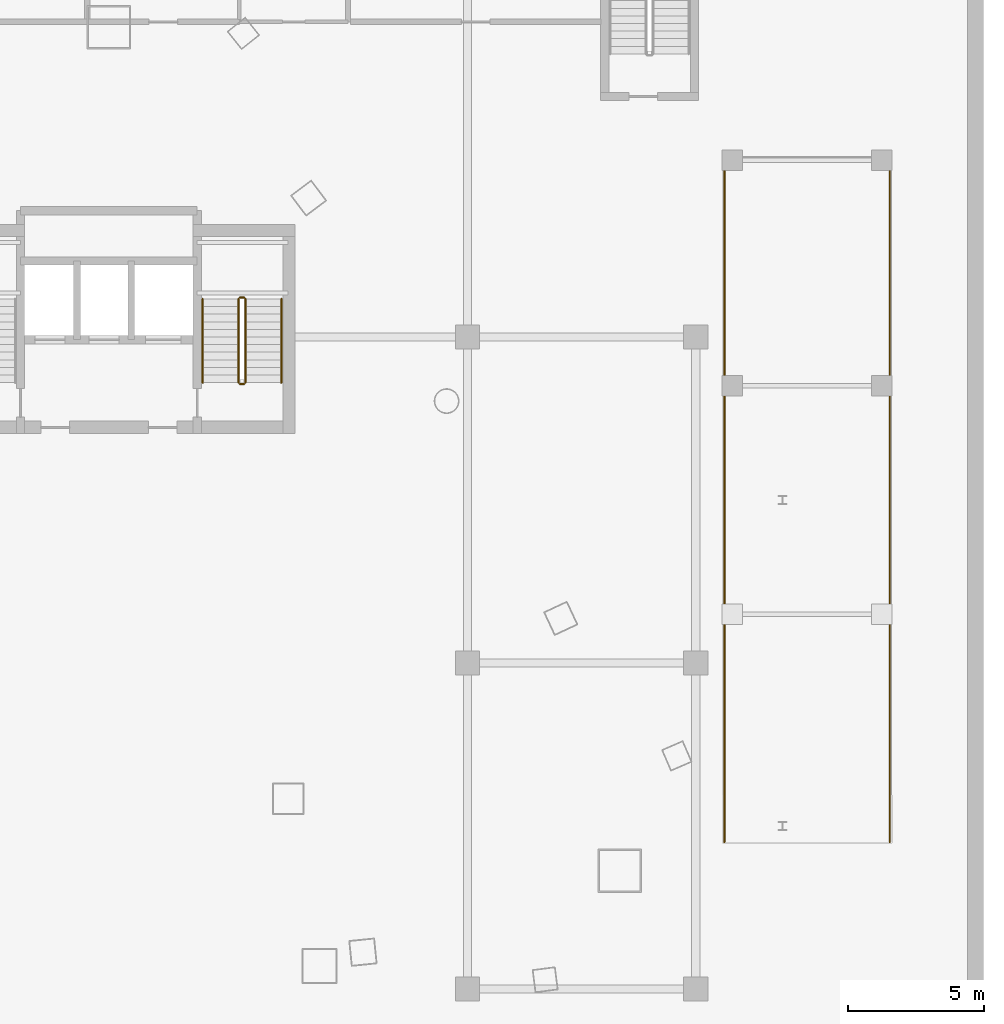
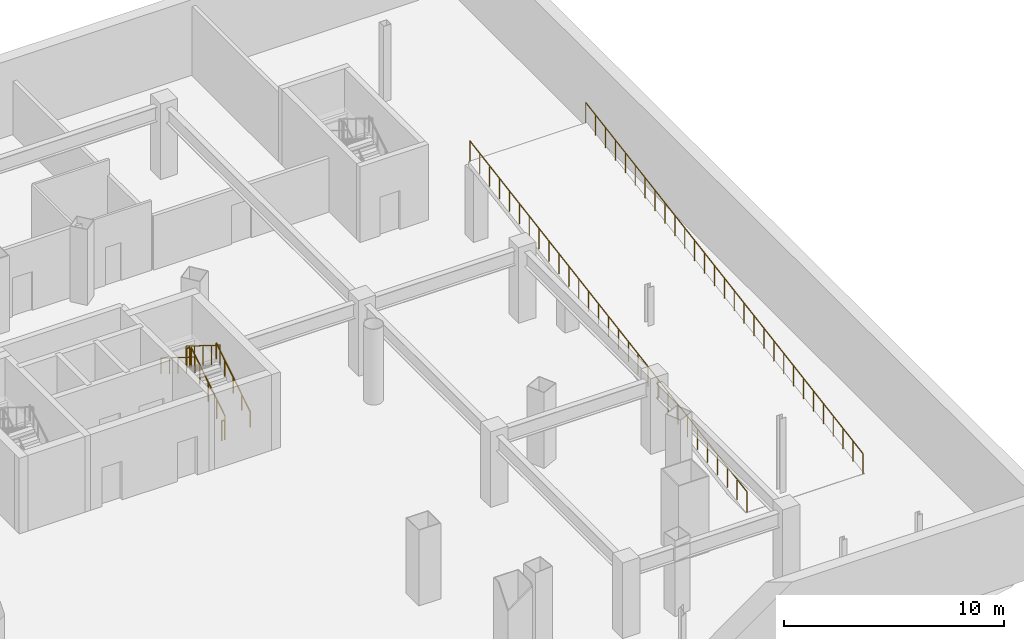
# One storey, part 8 of 10: 8 railings.
"""IFC4 building model written with IfcOpenShell, lengths in metres."""

from ifc_helpers import new_model, si_unit, direction, frame, origin, origin_2d, place, context, subcontext, project, spatial, circle, extrude, material, type_object, element, save


model = new_model("IFC4")

# Units and contexts
model_context = context("Model", 3, precision=1e-05, world=origin(), true_north=direction((0.0, 1.0)))
body_context = subcontext(model_context, "Body", "Model", "MODEL_VIEW")
ifc_project = project(units=[si_unit("LENGTHUNIT", "METRE"), si_unit("AREAUNIT", "SQUARE_METRE"), si_unit("VOLUMEUNIT", "CUBIC_METRE"), si_unit("PLANEANGLEUNIT", "RADIAN"), si_unit("MASSUNIT", "GRAM", prefix="KILO")], contexts=[model_context])

# Site, building, storey
site_placement = place(None, origin())
site = spatial("IfcSite", under=ifc_project, at=site_placement, CompositionType="ELEMENT")
building_placement = place(site_placement, origin())
building = spatial("IfcBuilding", under=site, at=building_placement, Name="Orvanel Arch Residences", CompositionType="ELEMENT")
storey_placement = place(building_placement, frame((0.0, 0.0, -4.199951171875)))
storey = spatial("IfcBuildingStorey", under=building, at=storey_placement, Name="B01", CompositionType="ELEMENT", Elevation=-4.199951171875)

# Railings
ifc_material = material(Name="Structural steel AS/NZS 1163 C350L0 (Grade 350)", Category="steel")
railing_type_1 = type_object("IfcRailingType", Name="RL-RMP-1100", PredefinedType="GUARDRAIL", material=ifc_material)
railing_1_placement = place(storey_placement, frame((55.659912109375, 11.39990234375, 0.0)))
element("IfcRailing", 1, at=railing_1_placement, inside=storey, type_object=railing_type_1, Name="B01 Vehicle Ramp Flight W Side Guardrail", PredefinedType="GUARDRAIL", context=body_context, shape_type="SweptSolid", body=[
    extrude(circle(Radius=0.02392578125, at=origin_2d()), frame((0.0, 0.00146484375, 1.126220703125), z_axis=(0.0, 0.986390307807, 0.164420681988), x_axis=(-1.0, 0.0, 0.0)), (0.0, 0.0, 1.0), 1.82177734375),
    extrude(circle(Radius=0.02392578125, at=origin_2d()), frame((0.0, 1.801513671875, 1.42626953125), z_axis=(0.0, 0.9864119972, 0.164290510316), x_axis=(-1.0, 0.0, 0.0)), (0.0, 0.0, 1.0), 1.82177734375),
    extrude(circle(Radius=0.02392578125, at=origin_2d()), frame((0.0, 3.6015625, 1.72607421875), z_axis=(0.0, 0.986390307807, 0.164420681988), x_axis=(-1.0, 0.0, 0.0)), (0.0, 0.0, 1.0), 1.82177734375),
    extrude(circle(Radius=0.02392578125, at=origin_2d()), frame((0.0, 5.401611328125, 2.026123046875), z_axis=(0.0, 0.986390307807, 0.164420681988), x_axis=(-1.0, 0.0, 0.0)), (0.0, 0.0, 1.0), 1.82177734375),
    extrude(circle(Radius=0.02392578125, at=origin_2d()), frame((0.0, 7.20166015625, 2.326171875), z_axis=(0.0, 0.986386690349, 0.164442382317), x_axis=(-1.0, 0.0, 0.0)), (0.0, 0.0, 1.0), 1.821533203125),
    extrude(circle(Radius=0.02392578125, at=origin_2d()), frame((0.0, 9.00146484375, 2.626220703125), z_axis=(0.0, 0.986390307807, 0.164420681988), x_axis=(-1.0, 0.0, 0.0)), (0.0, 0.0, 1.0), 1.82177734375),
    extrude(circle(Radius=0.02392578125, at=origin_2d()), frame((0.0, 10.801513671875, 2.92626953125), z_axis=(0.0, 0.9864119972, 0.164290510316), x_axis=(-1.0, 0.0, 0.0)), (0.0, 0.0, 1.0), 1.82177734375),
    extrude(circle(Radius=0.02392578125, at=origin_2d()), frame((0.0, 12.6015625, 3.22607421875), z_axis=(0.0, 0.986390307807, 0.164420681988), x_axis=(-1.0, 0.0, 0.0)), (0.0, 0.0, 1.0), 1.82177734375),
    extrude(circle(Radius=0.02392578125, at=origin_2d()), frame((0.0, 14.401611328125, 3.526123046875), z_axis=(0.0, 0.986390307807, 0.164420681988), x_axis=(-1.0, 0.0, 0.0)), (0.0, 0.0, 1.0), 1.82177734375),
    extrude(circle(Radius=0.02392578125, at=origin_2d()), frame((0.0, 16.20166015625, 3.826171875), z_axis=(0.0, 0.986386690349, 0.164442382317), x_axis=(-1.0, 0.0, 0.0)), (0.0, 0.0, 1.0), 1.821533203125),
    extrude(circle(Radius=0.02392578125, at=origin_2d()), frame((0.0, 18.00146484375, 4.126220703125), z_axis=(0.0, 0.986390307807, 0.164420681988), x_axis=(-1.0, 0.0, 0.0)), (0.0, 0.0, 1.0), 1.82177734375),
    extrude(circle(Radius=0.02392578125, at=origin_2d()), frame((0.0, 19.801513671875, 4.42626953125), z_axis=(0.0, 0.9864119972, 0.164290510316), x_axis=(-1.0, 0.0, 0.0)), (0.0, 0.0, 1.0), 1.82177734375),
    extrude(circle(Radius=0.02392578125, at=origin_2d()), frame((0.0, 21.6015625, 4.72607421875), z_axis=(0.0, 0.986390307807, 0.164420681988), x_axis=(-1.0, 0.0, 0.0)), (0.0, 0.0, 1.0), 1.82177734375),
    extrude(circle(Radius=0.02392578125, at=origin_2d()), frame((0.0, 23.401611328125, 5.026123046875), z_axis=(0.0, 0.986390307807, 0.164420681988), x_axis=(-1.0, 0.0, 0.0)), (0.0, 0.0, 1.0), 1.82177734375),
    extrude(circle(Radius=0.02099609375, at=origin_2d()), origin(), (0.0, 0.0, 1.0), 1.099853515625),
    extrude(circle(Radius=0.02099609375, at=origin_2d()), frame((0.0, 0.89990234375, 0.14990234375)), (0.0, 0.0, 1.0), 1.099853515625),
    extrude(circle(Radius=0.02099609375, at=origin_2d()), frame((0.0, 1.800048828125, 0.300048828125)), (0.0, 0.0, 1.0), 1.099853515625),
    extrude(circle(Radius=0.02099609375, at=origin_2d()), frame((0.0, 2.7001953125, 0.449951171875)), (0.0, 0.0, 1.0), 1.099853515625),
    extrude(circle(Radius=0.02099609375, at=origin_2d()), frame((0.0, 3.60009765625, 0.599853515625)), (0.0, 0.0, 1.0), 1.099853515625),
    extrude(circle(Radius=0.02099609375, at=origin_2d()), frame((0.0, 4.5, 0.75)), (0.0, 0.0, 1.0), 1.099853515625),
    extrude(circle(Radius=0.02099609375, at=origin_2d()), frame((0.0, 5.400146484375, 0.89990234375)), (0.0, 0.0, 1.0), 1.099853515625),
    extrude(circle(Radius=0.02099609375, at=origin_2d()), frame((0.0, 6.30029296875, 1.0498046875)), (0.0, 0.0, 1.0), 1.099853515625),
    extrude(circle(Radius=0.02099609375, at=origin_2d()), frame((0.0, 7.2001953125, 1.199951171875)), (0.0, 0.0, 1.0), 1.099853515625),
    extrude(circle(Radius=0.02099609375, at=origin_2d()), frame((0.0, 8.10009765625, 1.35009765625)), (0.0, 0.0, 1.0), 1.099853515625),
    extrude(circle(Radius=0.02099609375, at=origin_2d()), frame((0.0, 9.0, 1.5)), (0.0, 0.0, 1.0), 1.099853515625),
    extrude(circle(Radius=0.02099609375, at=origin_2d()), frame((0.0, 9.89990234375, 1.64990234375)), (0.0, 0.0, 1.0), 1.099853515625),
    extrude(circle(Radius=0.02099609375, at=origin_2d()), frame((0.0, 10.800048828125, 1.800048828125)), (0.0, 0.0, 1.0), 1.099853515625),
    extrude(circle(Radius=0.02099609375, at=origin_2d()), frame((0.0, 11.7001953125, 1.949951171875)), (0.0, 0.0, 1.0), 1.099853515625),
    extrude(circle(Radius=0.02099609375, at=origin_2d()), frame((0.0, 12.60009765625, 2.099853515625)), (0.0, 0.0, 1.0), 1.099853515625),
    extrude(circle(Radius=0.02099609375, at=origin_2d()), frame((0.0, 13.5, 2.25)), (0.0, 0.0, 1.0), 1.099853515625),
    extrude(circle(Radius=0.02099609375, at=origin_2d()), frame((0.0, 14.400146484375, 2.39990234375)), (0.0, 0.0, 1.0), 1.099853515625),
    extrude(circle(Radius=0.02099609375, at=origin_2d()), frame((0.0, 15.30029296875, 2.5498046875)), (0.0, 0.0, 1.0), 1.099853515625),
    extrude(circle(Radius=0.02099609375, at=origin_2d()), frame((0.0, 16.2001953125, 2.699951171875)), (0.0, 0.0, 1.0), 1.099853515625),
    extrude(circle(Radius=0.02099609375, at=origin_2d()), frame((0.0, 17.10009765625, 2.85009765625)), (0.0, 0.0, 1.0), 1.099853515625),
    extrude(circle(Radius=0.02099609375, at=origin_2d()), frame((0.0, 18.0, 3.0)), (0.0, 0.0, 1.0), 1.099853515625),
    extrude(circle(Radius=0.02099609375, at=origin_2d()), frame((0.0, 18.89990234375, 3.14990234375)), (0.0, 0.0, 1.0), 1.099853515625),
    extrude(circle(Radius=0.02099609375, at=origin_2d()), frame((0.0, 19.800048828125, 3.300048828125)), (0.0, 0.0, 1.0), 1.099853515625),
    extrude(circle(Radius=0.02099609375, at=origin_2d()), frame((0.0, 20.7001953125, 3.449951171875)), (0.0, 0.0, 1.0), 1.099853515625),
    extrude(circle(Radius=0.02099609375, at=origin_2d()), frame((0.0, 21.60009765625, 3.599853515625)), (0.0, 0.0, 1.0), 1.099853515625),
    extrude(circle(Radius=0.02099609375, at=origin_2d()), frame((0.0, 22.5, 3.75)), (0.0, 0.0, 1.0), 1.099853515625),
    extrude(circle(Radius=0.02099609375, at=origin_2d()), frame((0.0, 23.400146484375, 3.89990234375)), (0.0, 0.0, 1.0), 1.099853515625),
    extrude(circle(Radius=0.02099609375, at=origin_2d()), frame((0.0, 24.30029296875, 4.0498046875)), (0.0, 0.0, 1.0), 1.099853515625),
    extrude(circle(Radius=0.02099609375, at=origin_2d()), frame((0.0, 25.2001953125, 4.199951171875)), (0.0, 0.0, 1.0), 1.099853515625),
])
railing_2_placement = place(storey_placement, frame((61.739990234375, 11.39990234375, 0.0)))
element("IfcRailing", 2, at=railing_2_placement, inside=storey, type_object=railing_type_1, Name="B01 Vehicle Ramp Flight E Side Guardrail", PredefinedType="GUARDRAIL", context=body_context, shape_type="SweptSolid", body=[
    extrude(circle(Radius=0.02392578125, at=origin_2d()), frame((0.0, 0.00146484375, 1.126220703125), z_axis=(0.0, 0.986390307807, 0.164420681988), x_axis=(-1.0, 0.0, 0.0)), (0.0, 0.0, 1.0), 1.82177734375),
    extrude(circle(Radius=0.02392578125, at=origin_2d()), frame((0.0, 1.801513671875, 1.42626953125), z_axis=(0.0, 0.9864119972, 0.164290510316), x_axis=(-1.0, 0.0, 0.0)), (0.0, 0.0, 1.0), 1.82177734375),
    extrude(circle(Radius=0.02392578125, at=origin_2d()), frame((0.0, 3.6015625, 1.72607421875), z_axis=(0.0, 0.986390307807, 0.164420681988), x_axis=(-1.0, 0.0, 0.0)), (0.0, 0.0, 1.0), 1.82177734375),
    extrude(circle(Radius=0.02392578125, at=origin_2d()), frame((0.0, 5.401611328125, 2.026123046875), z_axis=(0.0, 0.986390307807, 0.164420681988), x_axis=(-1.0, 0.0, 0.0)), (0.0, 0.0, 1.0), 1.82177734375),
    extrude(circle(Radius=0.02392578125, at=origin_2d()), frame((0.0, 7.20166015625, 2.326171875), z_axis=(0.0, 0.986386690349, 0.164442382317), x_axis=(-1.0, 0.0, 0.0)), (0.0, 0.0, 1.0), 1.821533203125),
    extrude(circle(Radius=0.02392578125, at=origin_2d()), frame((0.0, 9.00146484375, 2.626220703125), z_axis=(0.0, 0.986390307807, 0.164420681988), x_axis=(-1.0, 0.0, 0.0)), (0.0, 0.0, 1.0), 1.82177734375),
    extrude(circle(Radius=0.02392578125, at=origin_2d()), frame((0.0, 10.801513671875, 2.92626953125), z_axis=(0.0, 0.9864119972, 0.164290510316), x_axis=(-1.0, 0.0, 0.0)), (0.0, 0.0, 1.0), 1.82177734375),
    extrude(circle(Radius=0.02392578125, at=origin_2d()), frame((0.0, 12.6015625, 3.22607421875), z_axis=(0.0, 0.986390307807, 0.164420681988), x_axis=(-1.0, 0.0, 0.0)), (0.0, 0.0, 1.0), 1.82177734375),
    extrude(circle(Radius=0.02392578125, at=origin_2d()), frame((0.0, 14.401611328125, 3.526123046875), z_axis=(0.0, 0.986390307807, 0.164420681988), x_axis=(-1.0, 0.0, 0.0)), (0.0, 0.0, 1.0), 1.82177734375),
    extrude(circle(Radius=0.02392578125, at=origin_2d()), frame((0.0, 16.20166015625, 3.826171875), z_axis=(0.0, 0.986386690349, 0.164442382317), x_axis=(-1.0, 0.0, 0.0)), (0.0, 0.0, 1.0), 1.821533203125),
    extrude(circle(Radius=0.02392578125, at=origin_2d()), frame((0.0, 18.00146484375, 4.126220703125), z_axis=(0.0, 0.986390307807, 0.164420681988), x_axis=(-1.0, 0.0, 0.0)), (0.0, 0.0, 1.0), 1.82177734375),
    extrude(circle(Radius=0.02392578125, at=origin_2d()), frame((0.0, 19.801513671875, 4.42626953125), z_axis=(0.0, 0.9864119972, 0.164290510316), x_axis=(-1.0, 0.0, 0.0)), (0.0, 0.0, 1.0), 1.82177734375),
    extrude(circle(Radius=0.02392578125, at=origin_2d()), frame((0.0, 21.6015625, 4.72607421875), z_axis=(0.0, 0.986390307807, 0.164420681988), x_axis=(-1.0, 0.0, 0.0)), (0.0, 0.0, 1.0), 1.82177734375),
    extrude(circle(Radius=0.02392578125, at=origin_2d()), frame((0.0, 23.401611328125, 5.026123046875), z_axis=(0.0, 0.986390307807, 0.164420681988), x_axis=(-1.0, 0.0, 0.0)), (0.0, 0.0, 1.0), 1.82177734375),
    extrude(circle(Radius=0.02099609375, at=origin_2d()), origin(), (0.0, 0.0, 1.0), 1.099853515625),
    extrude(circle(Radius=0.02099609375, at=origin_2d()), frame((0.0, 0.89990234375, 0.14990234375)), (0.0, 0.0, 1.0), 1.099853515625),
    extrude(circle(Radius=0.02099609375, at=origin_2d()), frame((0.0, 1.800048828125, 0.300048828125)), (0.0, 0.0, 1.0), 1.099853515625),
    extrude(circle(Radius=0.02099609375, at=origin_2d()), frame((0.0, 2.7001953125, 0.449951171875)), (0.0, 0.0, 1.0), 1.099853515625),
    extrude(circle(Radius=0.02099609375, at=origin_2d()), frame((0.0, 3.60009765625, 0.599853515625)), (0.0, 0.0, 1.0), 1.099853515625),
    extrude(circle(Radius=0.02099609375, at=origin_2d()), frame((0.0, 4.5, 0.75)), (0.0, 0.0, 1.0), 1.099853515625),
    extrude(circle(Radius=0.02099609375, at=origin_2d()), frame((0.0, 5.400146484375, 0.89990234375)), (0.0, 0.0, 1.0), 1.099853515625),
    extrude(circle(Radius=0.02099609375, at=origin_2d()), frame((0.0, 6.30029296875, 1.0498046875)), (0.0, 0.0, 1.0), 1.099853515625),
    extrude(circle(Radius=0.02099609375, at=origin_2d()), frame((0.0, 7.2001953125, 1.199951171875)), (0.0, 0.0, 1.0), 1.099853515625),
    extrude(circle(Radius=0.02099609375, at=origin_2d()), frame((0.0, 8.10009765625, 1.35009765625)), (0.0, 0.0, 1.0), 1.099853515625),
    extrude(circle(Radius=0.02099609375, at=origin_2d()), frame((0.0, 9.0, 1.5)), (0.0, 0.0, 1.0), 1.099853515625),
    extrude(circle(Radius=0.02099609375, at=origin_2d()), frame((0.0, 9.89990234375, 1.64990234375)), (0.0, 0.0, 1.0), 1.099853515625),
    extrude(circle(Radius=0.02099609375, at=origin_2d()), frame((0.0, 10.800048828125, 1.800048828125)), (0.0, 0.0, 1.0), 1.099853515625),
    extrude(circle(Radius=0.02099609375, at=origin_2d()), frame((0.0, 11.7001953125, 1.949951171875)), (0.0, 0.0, 1.0), 1.099853515625),
    extrude(circle(Radius=0.02099609375, at=origin_2d()), frame((0.0, 12.60009765625, 2.099853515625)), (0.0, 0.0, 1.0), 1.099853515625),
    extrude(circle(Radius=0.02099609375, at=origin_2d()), frame((0.0, 13.5, 2.25)), (0.0, 0.0, 1.0), 1.099853515625),
    extrude(circle(Radius=0.02099609375, at=origin_2d()), frame((0.0, 14.400146484375, 2.39990234375)), (0.0, 0.0, 1.0), 1.099853515625),
    extrude(circle(Radius=0.02099609375, at=origin_2d()), frame((0.0, 15.30029296875, 2.5498046875)), (0.0, 0.0, 1.0), 1.099853515625),
    extrude(circle(Radius=0.02099609375, at=origin_2d()), frame((0.0, 16.2001953125, 2.699951171875)), (0.0, 0.0, 1.0), 1.099853515625),
    extrude(circle(Radius=0.02099609375, at=origin_2d()), frame((0.0, 17.10009765625, 2.85009765625)), (0.0, 0.0, 1.0), 1.099853515625),
    extrude(circle(Radius=0.02099609375, at=origin_2d()), frame((0.0, 18.0, 3.0)), (0.0, 0.0, 1.0), 1.099853515625),
    extrude(circle(Radius=0.02099609375, at=origin_2d()), frame((0.0, 18.89990234375, 3.14990234375)), (0.0, 0.0, 1.0), 1.099853515625),
    extrude(circle(Radius=0.02099609375, at=origin_2d()), frame((0.0, 19.800048828125, 3.300048828125)), (0.0, 0.0, 1.0), 1.099853515625),
    extrude(circle(Radius=0.02099609375, at=origin_2d()), frame((0.0, 20.7001953125, 3.449951171875)), (0.0, 0.0, 1.0), 1.099853515625),
    extrude(circle(Radius=0.02099609375, at=origin_2d()), frame((0.0, 21.60009765625, 3.599853515625)), (0.0, 0.0, 1.0), 1.099853515625),
    extrude(circle(Radius=0.02099609375, at=origin_2d()), frame((0.0, 22.5, 3.75)), (0.0, 0.0, 1.0), 1.099853515625),
    extrude(circle(Radius=0.02099609375, at=origin_2d()), frame((0.0, 23.400146484375, 3.89990234375)), (0.0, 0.0, 1.0), 1.099853515625),
    extrude(circle(Radius=0.02099609375, at=origin_2d()), frame((0.0, 24.30029296875, 4.0498046875)), (0.0, 0.0, 1.0), 1.099853515625),
    extrude(circle(Radius=0.02099609375, at=origin_2d()), frame((0.0, 25.2001953125, 4.199951171875)), (0.0, 0.0, 1.0), 1.099853515625),
])
railing_type_2 = type_object("IfcRailingType", Name="RL-STAIR-GUARD", PredefinedType="GUARDRAIL", material=ifc_material)
railing_3_placement = place(storey_placement, frame((38.030029296875, 28.320068359375, 0.175048828125)))
element("IfcRailing", 3, at=railing_3_placement, inside=storey, type_object=railing_type_2, Name="B01 ST-2 stair guard 1", PredefinedType="GUARDRAIL", context=body_context, shape_type="SweptSolid", body=[
    extrude(circle(Radius=0.02392578125, at=origin_2d()), frame((0.0, 0.001220703125, 1.076904296875), z_axis=(0.0, 0.848009633417, 0.529980812513), x_axis=(-1.0, 0.0, 0.0)), (0.0, 0.0, 1.0), 3.62890625),
    extrude(circle(Radius=0.02099609375, at=origin_2d()), origin(), (0.0, 0.0, 1.0), 1.050048828125),
    extrude(circle(Radius=0.02099609375, at=origin_2d()), frame((0.0, 0.77001953125, 0.481201171875)), (0.0, 0.0, 1.0), 1.050048828125),
    extrude(circle(Radius=0.02099609375, at=origin_2d()), frame((0.0, 1.5400390625, 0.96240234375)), (0.0, 0.0, 1.0), 1.050048828125),
    extrude(circle(Radius=0.02099609375, at=origin_2d()), frame((0.0, 2.309814453125, 1.443603515625)), (0.0, 0.0, 1.0), 1.050048828125),
    extrude(circle(Radius=0.02099609375, at=origin_2d()), frame((0.0, 3.079833984375, 1.9248046875)), (0.0, 0.0, 1.0), 1.050048828125),
])
railing_4_placement = place(storey_placement, frame((37.97998046875, 31.449951171875, 2.099853515625)))
element("IfcRailing", 4, at=railing_4_placement, inside=storey, type_object=railing_type_2, Name="B01 ST-2 stair guard 2", PredefinedType="GUARDRAIL", context=body_context, shape_type="SweptSolid", body=[
    extrude(circle(Radius=0.02392578125, at=origin_2d()), frame((-0.00146484375, 0.0, 1.076171875), z_axis=(-1.0, 0.0, 0.0), x_axis=(0.0, -1.0, 0.0)), (0.0, 0.0, 1.0), 0.156982421875),
    extrude(circle(Radius=0.02099609375, at=origin_2d()), origin(), (0.0, 0.0, 1.0), 1.050048828125),
    extrude(circle(Radius=0.02099609375, at=origin_2d()), frame((-0.159912109375, 0.0, 0.0)), (0.0, 0.0, 1.0), 1.050048828125),
])
railing_5_placement = place(storey_placement, frame((37.77001953125, 31.39990234375, 2.27490234375)))
element("IfcRailing", 5, at=railing_5_placement, inside=storey, type_object=railing_type_2, Name="B01 ST-2 stair guard 3", PredefinedType="GUARDRAIL", context=body_context, shape_type="SweptSolid", body=[
    extrude(circle(Radius=0.02392578125, at=origin_2d()), frame((0.0, -0.001220703125, 1.076904296875), z_axis=(0.0, -0.847979421464, 0.530029150871), x_axis=(1.0, 0.0, 0.0)), (0.0, 0.0, 1.0), 3.62890625),
    extrude(circle(Radius=0.02099609375, at=origin_2d()), origin(), (0.0, 0.0, 1.0), 1.050048828125),
    extrude(circle(Radius=0.02099609375, at=origin_2d()), frame((0.0, -0.77001953125, 0.481201171875)), (0.0, 0.0, 1.0), 1.050048828125),
    extrude(circle(Radius=0.02099609375, at=origin_2d()), frame((0.0, -1.5400390625, 0.96240234375)), (0.0, 0.0, 1.0), 1.050048828125),
    extrude(circle(Radius=0.02099609375, at=origin_2d()), frame((0.0, -2.309814453125, 1.44384765625)), (0.0, 0.0, 1.0), 1.050048828125),
    extrude(circle(Radius=0.02099609375, at=origin_2d()), frame((0.0, -3.079833984375, 1.925048828125)), (0.0, 0.0, 1.0), 1.050048828125),
])
railing_6_placement = place(storey_placement, frame((37.97998046875, 28.27001953125, 0.0)))
element("IfcRailing", 6, at=railing_6_placement, inside=storey, type_object=railing_type_2, Name="B01 ST-2 stair guard 4", PredefinedType="GUARDRAIL", context=body_context, shape_type="SweptSolid", body=[
    extrude(circle(Radius=0.02392578125, at=origin_2d()), frame((-0.00146484375, 0.0, 1.076171875), z_axis=(-1.0, 0.0, 0.0), x_axis=(0.0, -1.0, 0.0)), (0.0, 0.0, 1.0), 0.156982421875),
    extrude(circle(Radius=0.02099609375, at=origin_2d()), origin(), (0.0, 0.0, 1.0), 1.050048828125),
    extrude(circle(Radius=0.02099609375, at=origin_2d()), frame((-0.159912109375, 0.0, 0.0)), (0.0, 0.0, 1.0), 1.050048828125),
])
railing_type_3 = type_object("IfcRailingType", Name="RL-STAIR-HAND", PredefinedType="HANDRAIL", material=ifc_material)
railing_7_placement = place(storey_placement, frame((39.35009765625, 28.320068359375, 0.175048828125)))
element("IfcRailing", 7, at=railing_7_placement, inside=storey, type_object=railing_type_3, Name="B01 ST-2 stair handrail 1", PredefinedType="HANDRAIL", context=body_context, shape_type="SweptSolid", body=[
    extrude(circle(Radius=0.02392578125, at=origin_2d()), frame((0.0, 0.001220703125, 0.876708984375), z_axis=(0.0, 0.848009633417, 0.529980812513), x_axis=(-1.0, 0.0, 0.0)), (0.0, 0.0, 1.0), 3.62890625),
    extrude(circle(Radius=0.02099609375, at=origin_2d()), origin(), (0.0, 0.0, 1.0), 0.849853515625),
    extrude(circle(Radius=0.02099609375, at=origin_2d()), frame((0.0, 0.77001953125, 0.481201171875)), (0.0, 0.0, 1.0), 0.849853515625),
    extrude(circle(Radius=0.02099609375, at=origin_2d()), frame((0.0, 1.5400390625, 0.96240234375)), (0.0, 0.0, 1.0), 0.849853515625),
    extrude(circle(Radius=0.02099609375, at=origin_2d()), frame((0.0, 2.309814453125, 1.443603515625)), (0.0, 0.0, 1.0), 0.849853515625),
    extrude(circle(Radius=0.02099609375, at=origin_2d()), frame((0.0, 3.079833984375, 1.9248046875)), (0.0, 0.0, 1.0), 0.849853515625),
])
railing_8_placement = place(storey_placement, frame((36.449951171875, 31.39990234375, 2.27490234375)))
element("IfcRailing", 8, at=railing_8_placement, inside=storey, type_object=railing_type_3, Name="B01 ST-2 stair handrail 2", PredefinedType="HANDRAIL", context=body_context, shape_type="SweptSolid", body=[
    extrude(circle(Radius=0.02392578125, at=origin_2d()), frame((0.0, -0.001220703125, 0.876708984375), z_axis=(0.0, -0.847979421464, 0.530029150871), x_axis=(1.0, 0.0, 0.0)), (0.0, 0.0, 1.0), 3.62890625),
    extrude(circle(Radius=0.02099609375, at=origin_2d()), origin(), (0.0, 0.0, 1.0), 0.849853515625),
    extrude(circle(Radius=0.02099609375, at=origin_2d()), frame((0.0, -0.77001953125, 0.481201171875)), (0.0, 0.0, 1.0), 0.849853515625),
    extrude(circle(Radius=0.02099609375, at=origin_2d()), frame((0.0, -1.5400390625, 0.96240234375)), (0.0, 0.0, 1.0), 0.849853515625),
    extrude(circle(Radius=0.02099609375, at=origin_2d()), frame((0.0, -2.309814453125, 1.44384765625)), (0.0, 0.0, 1.0), 0.849853515625),
    extrude(circle(Radius=0.02099609375, at=origin_2d()), frame((0.0, -3.079833984375, 1.925048828125)), (0.0, 0.0, 1.0), 0.849853515625),
])

save(model, "model.ifc")
